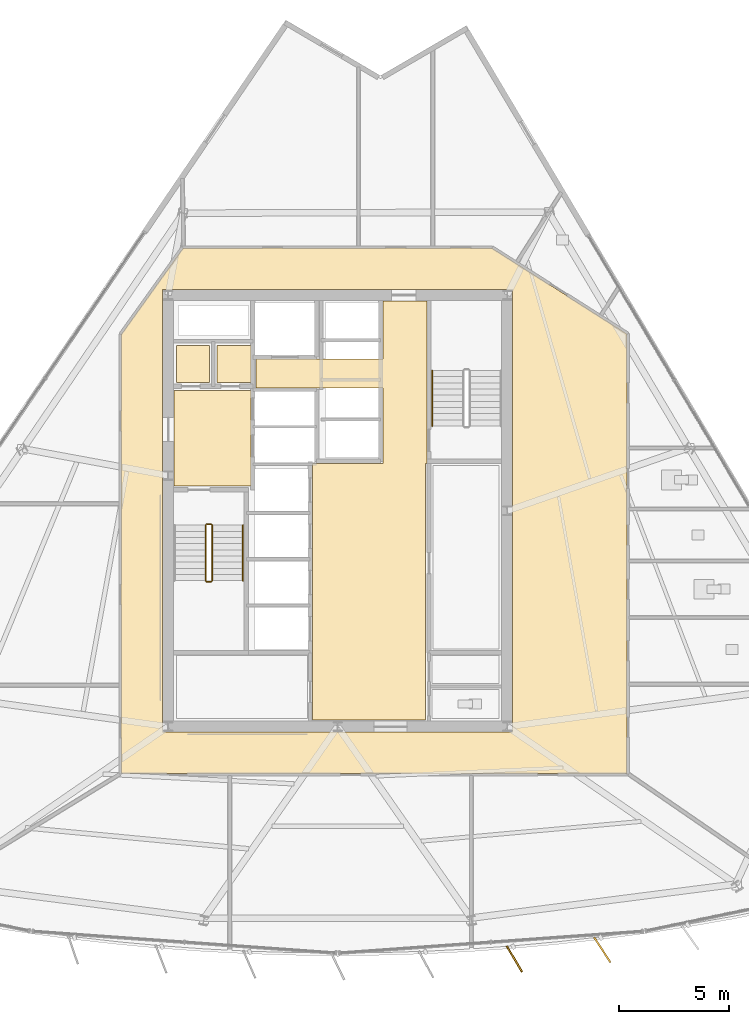
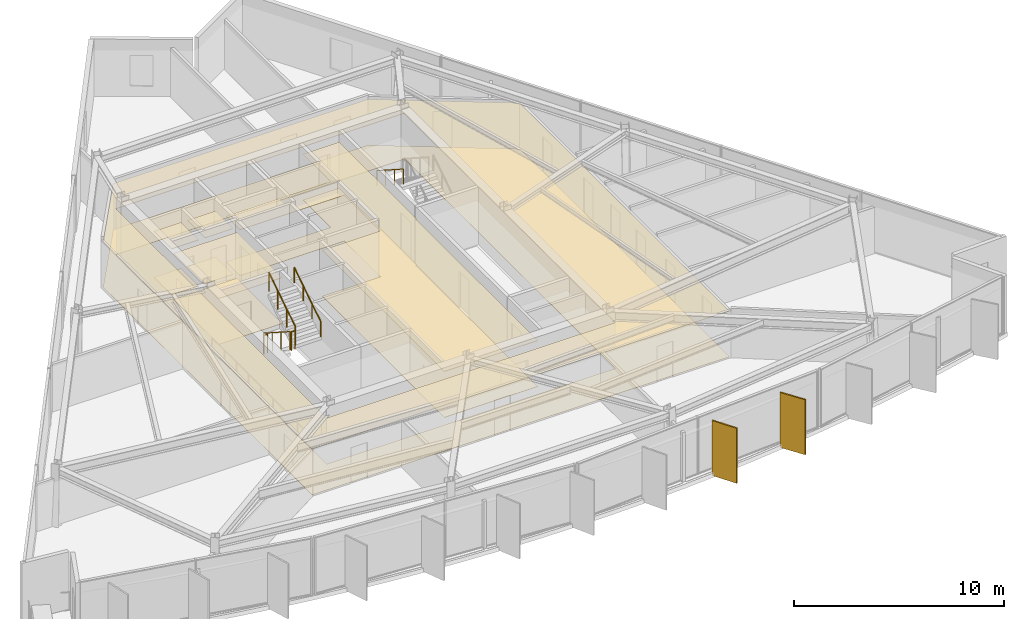
# One storey, part 12 of 15: 10 coverings, 6 railings, 2 shading devices.
"""IFC4 building model written with IfcOpenShell, lengths in metres."""

import ifcopenshell
import ifcopenshell.guid

model = None  # the IFC model being written
_history = None  # IfcOwnerHistory: only IFC2X3 demands one
_inside = {}  # id of a spatial element -> (the spatial element, [elements in it])
_under = {}  # id of a project, library or spatial element -> (it, [spatial elements below it])
_declared = {}  # id of a project -> (the project, [libraries it declares])
_typed = {}  # id of a type object -> (the type object, [elements of that type])
_made_of = {}  # id of a material, layer set ... -> (it, [elements and type objects made of it])


def new_model(schema):
    """Start an empty IFC model of exactly this schema.

    Asked for "IFC4X3", IfcOpenShell would pick the latest addendum, in which some entities
    have other attributes; the version numbers below select the first issue.
    IFC2X3 requires an IfcOwnerHistory on every rooted entity: one is made here for all.
    """
    global model, _history
    if schema == "IFC4X3":
        model = ifcopenshell.file(schema_version=(4, 3, 0, 0))
    else:
        model = ifcopenshell.file(schema=schema)
    _inside.clear()
    _under.clear()
    _declared.clear()
    _typed.clear()
    _made_of.clear()
    _history = None
    if model.schema == "IFC2X3":
        org = make("IfcOrganization", Name="unknown")
        user = make(
            "IfcPersonAndOrganization",
            ThePerson=make("IfcPerson", FamilyName="unknown"),
            TheOrganization=org,
        )
        app = make(
            "IfcApplication",
            ApplicationDeveloper=org,
            Version="unknown",
            ApplicationFullName="unknown",
            ApplicationIdentifier="unknown",
        )
        _history = make(
            "IfcOwnerHistory",
            OwningUser=user,
            OwningApplication=app,
            ChangeAction="ADDED",
            CreationDate=0,
        )
    return model


def make(cls, **values):
    """One entity of the class cls with the attributes given. An attribute that is None is left unset."""
    return model.create_entity(
        cls, **{name: value for name, value in values.items() if value is not None}
    )


def rooted(cls, **values):
    """An entity with a GlobalId (a new one), such as an element, a storey or a relation."""
    return make(cls, GlobalId=ifcopenshell.guid.new(), OwnerHistory=_history, **values)


def si_unit(unit_type, name, prefix=None):
    """IfcSIUnit, for example si_unit("LENGTHUNIT", "METRE", prefix="MILLI")."""
    return make("IfcSIUnit", UnitType=unit_type, Prefix=prefix, Name=name)


def assignment(units):
    """IfcUnitAssignment: the units of a project."""
    return None if units is None else make("IfcUnitAssignment", Units=units)


def point(xyz):
    """IfcCartesianPoint."""
    return None if xyz is None else make("IfcCartesianPoint", Coordinates=xyz)


def direction(xyz):
    """IfcDirection."""
    return None if xyz is None else make("IfcDirection", DirectionRatios=xyz)


def frame(location, z_axis=None, x_axis=None):
    """IfcAxis2Placement3D, a coordinate frame: its origin and axes. An axis left out is left unset."""
    return make(
        "IfcAxis2Placement3D",
        Location=point(location),
        Axis=direction(z_axis),
        RefDirection=direction(x_axis),
    )


def frame_2d(location, x_axis=None):
    """IfcAxis2Placement2D, a coordinate frame in the plane: its origin and x axis."""
    return make(
        "IfcAxis2Placement2D", Location=point(location), RefDirection=direction(x_axis)
    )


def origin():
    """The frame at (0, 0, 0) with its axes left unset."""
    return frame((0.0, 0.0, 0.0))


def origin_2d():
    """The frame at (0, 0) in the plane with its x axis left unset."""
    return frame_2d((0.0, 0.0))


def place(relative_to, where):
    """IfcLocalPlacement: puts the frame where relative to a parent placement (None: the world)."""
    return make(
        "IfcLocalPlacement", PlacementRelTo=relative_to, RelativePlacement=where
    )


def context(
    kind, dimensions, precision=None, world=None, true_north=None, identifier=None
):
    """IfcGeometricRepresentationContext, for example the 3D "Model" context."""
    return make(
        "IfcGeometricRepresentationContext",
        ContextIdentifier=identifier,
        ContextType=kind,
        CoordinateSpaceDimension=dimensions,
        Precision=precision,
        WorldCoordinateSystem=world,
        TrueNorth=true_north,
    )


def subcontext(parent, identifier, kind, view, scale=None):
    """IfcGeometricRepresentationSubContext, for example "Body" below "Model"."""
    return make(
        "IfcGeometricRepresentationSubContext",
        ContextIdentifier=identifier,
        ContextType=kind,
        ParentContext=parent,
        TargetScale=scale,
        TargetView=view,
    )


def project(units=None, contexts=None):
    """IfcProject with its units and contexts."""
    return rooted(
        "IfcProject",
        Name="project",
        RepresentationContexts=contexts,
        UnitsInContext=assignment(units),
    )


def spatial(cls, under=None, at=None, **own):
    """A site, building, storey or space (cls), placed at a placement, below another one or the project."""
    s = rooted(cls, ObjectPlacement=at, **own)
    if under is not None:
        _under.setdefault(under.id(), (under, []))[1].append(s)
    return s


def polyline(points):
    """IfcPolyline through the points."""
    return make("IfcPolyline", Points=[point(p) for p in points])


def profile(cls, at=None, kind="AREA", **sizes):
    """A parametric profile (cls). Its sizes go by their IFC names, for example OverallWidth=200.0."""
    return make(cls, ProfileType=kind, Position=at, **sizes)


def rectangle(**sizes):
    """IfcRectangleProfileDef."""
    return profile("IfcRectangleProfileDef", **sizes)


def circle(**sizes):
    """IfcCircleProfileDef."""
    return profile("IfcCircleProfileDef", **sizes)


def outline(outer, holes=None, kind="AREA"):
    """IfcArbitraryClosedProfileDef: a profile drawn as a closed curve; with holes, ...WithVoids."""
    if holes is None:
        return make("IfcArbitraryClosedProfileDef", ProfileType=kind, OuterCurve=outer)
    return make(
        "IfcArbitraryProfileDefWithVoids",
        ProfileType=kind,
        OuterCurve=outer,
        InnerCurves=holes,
    )


def extrude(swept, where, along, depth):
    """IfcExtrudedAreaSolid: the profile swept, set in the frame where, extruded along a direction by depth."""
    return make(
        "IfcExtrudedAreaSolid",
        SweptArea=swept,
        Position=where,
        ExtrudedDirection=direction(along),
        Depth=depth,
    )


def shape(context_of_items, identifier, shape_type, items):
    """IfcShapeRepresentation: the items that make up one representation, for example the "Body"."""
    return make(
        "IfcShapeRepresentation",
        ContextOfItems=context_of_items,
        RepresentationIdentifier=identifier,
        RepresentationType=shape_type,
        Items=items,
    )


def material(Name=None, Category=None):
    """IfcMaterial."""
    return make("IfcMaterial", Name=Name, Category=Category)


def layer(
    of_material, thickness, ventilated=None, Name=None, Category=None, Priority=None
):
    """IfcMaterialLayer: one layer of a wall or slab, of a material (None: an air gap)."""
    return make(
        "IfcMaterialLayer",
        Material=of_material,
        LayerThickness=thickness,
        IsVentilated=ventilated,
        Name=Name,
        Category=Category,
        Priority=Priority,
    )


def layer_set(layers, Name=None):
    """IfcMaterialLayerSet."""
    return make("IfcMaterialLayerSet", MaterialLayers=layers, LayerSetName=Name)


def made_of(thing, what):
    """Note that an element or type object is made of a material, layer set ...; save() writes the relation."""
    if what is not None:
        _made_of.setdefault(what.id(), (what, []))[1].append(thing)
    return thing


def type_object(cls, material=None, **own):
    """A type object (cls), such as IfcWallType, which elements share."""
    return made_of(rooted(cls, **own), material)


def element(
    cls,
    number,
    at=None,
    inside=None,
    cuts=None,
    type_object=None,
    material=None,
    context=None,
    identifier="Body",
    shape_type=None,
    held_by="IfcProductDefinitionShape",
    body=None,
    shapes=None,
    **own,
):
    """One element of the class cls, such as IfcWall. Its Tag is "e" and its number.

    at: its placement. inside: the storey or other place that contains it. cuts: it is an
    opening in that element (IfcRelVoidsElement). A single representation is given by context,
    identifier, shape_type and body (its items); several are given by shapes. held_by: the class
    of the entity that holds the representations. save() writes the other relations.
    """
    e = rooted(cls, Tag="e%d" % number, ObjectPlacement=at, **own)
    if body is not None:
        shapes = [shape(context, identifier, shape_type, body)]
    if shapes is not None:
        e.Representation = make(held_by, Representations=shapes)
    if inside is not None:
        _inside.setdefault(inside.id(), (inside, []))[1].append(e)
    if cuts is not None:
        rooted(
            "IfcRelVoidsElement", RelatingBuildingElement=cuts, RelatedOpeningElement=e
        )
    if type_object is not None:
        _typed.setdefault(type_object.id(), (type_object, []))[1].append(e)
    return made_of(e, material)


def aggregate(whole, parts):
    """IfcRelAggregates: a whole, such as a stair, and the parts it consists of."""
    return rooted("IfcRelAggregates", RelatingObject=whole, RelatedObjects=parts)


def save(model, path):
    """Write the relations noted so far, then the file.

    IfcRelAggregates (storeys below a building ...), IfcRelContainedInSpatialStructure (elements
    in a storey), IfcRelDefinesByType, IfcRelAssociatesMaterial and IfcRelDeclares: one each for
    every whole, place, type object, material and project.
    """
    for whole, parts in _under.values():
        aggregate(whole, parts)
    for where, things in _inside.values():
        rooted(
            "IfcRelContainedInSpatialStructure",
            RelatedElements=things,
            RelatingStructure=where,
        )
    for kind, things in _typed.values():
        rooted("IfcRelDefinesByType", RelatedObjects=things, RelatingType=kind)
    for what, things in _made_of.values():
        rooted("IfcRelAssociatesMaterial", RelatedObjects=things, RelatingMaterial=what)
    for by, libraries in _declared.values():
        rooted("IfcRelDeclares", RelatingContext=by, RelatedDefinitions=libraries)
    model.write(path)


model = new_model("IFC4")

# Units and contexts
model_context = context("Model", 3, precision=1e-05, world=origin(), true_north=direction((0.0, 1.0)))
body_context = subcontext(model_context, "Body", "Model", "MODEL_VIEW")
ifc_project = project(units=[si_unit("LENGTHUNIT", "METRE"), si_unit("AREAUNIT", "SQUARE_METRE"), si_unit("VOLUMEUNIT", "CUBIC_METRE"), si_unit("PLANEANGLEUNIT", "RADIAN"), si_unit("MASSUNIT", "GRAM", prefix="KILO")], contexts=[model_context])

# Site, building, storey
site_placement = place(None, origin())
site = spatial("IfcSite", under=ifc_project, at=site_placement, CompositionType="ELEMENT")
building_placement = place(site_placement, origin())
building = spatial("IfcBuilding", under=site, at=building_placement, Name="Savorim Split Tower", CompositionType="ELEMENT")
storey_placement = place(building_placement, frame((0.0, 0.0, 138.60009765625)))
storey = spatial("IfcBuildingStorey", under=building, at=storey_placement, Name="L36", CompositionType="ELEMENT", Elevation=138.60009765625)

# Coverings
ifc_material_1 = material(Name="Mineral Fibre Acoustic Ceiling")
ifc_layer_1 = layer(ifc_material_1, 0.02490234375)
ifc_layer_set_1 = layer_set([ifc_layer_1], Name="COV-CEIL-25")
covering_type_1 = type_object("IfcCoveringType", Name="COV-CEIL-25", PredefinedType="CEILING", material=ifc_layer_set_1)
covering_1_placement = place(storey_placement, frame((0.0, 0.0, 2.669921875)))
element("IfcCovering", 1, at=covering_1_placement, inside=storey, type_object=covering_type_1, Name="L36 Firefighting Lift Lobby Acoustic Ceiling", PredefinedType="CEILING", context=body_context, shape_type="SweptSolid", body=[
    extrude(outline(polyline([(-7.429931640625, 5.8701171875), (-7.429931640625, 1.530029296875), (-3.929931640625, 1.530029296875), (-3.929931640625, 5.8701171875), (-7.429931640625, 5.8701171875)])), origin(), (0.0, 0.0, 1.0), 0.02490234375),
])
covering_2_placement = place(storey_placement, frame((0.0, 0.0, 2.669921875)))
element("IfcCovering", 2, at=covering_2_placement, inside=storey, type_object=covering_type_1, Name="L36 Electrical Riser Acoustic Ceiling", PredefinedType="CEILING", context=body_context, shape_type="SweptSolid", body=[
    extrude(outline(polyline([(-7.320068359375, 7.919921875), (-7.320068359375, 6.22998046875), (-5.830078125, 6.22998046875), (-5.830078125, 7.919921875), (-7.320068359375, 7.919921875)])), origin(), (0.0, 0.0, 1.0), 0.02490234375),
])
covering_3_placement = place(storey_placement, frame((0.0, 0.0, 2.669921875)))
element("IfcCovering", 3, at=covering_3_placement, inside=storey, type_object=covering_type_1, Name="L36 Telecom Riser Acoustic Ceiling", PredefinedType="CEILING", context=body_context, shape_type="SweptSolid", body=[
    extrude(outline(polyline([(-5.469970703125, 7.919921875), (-5.469970703125, 6.22998046875), (-3.929931640625, 6.22998046875), (-3.929931640625, 7.919921875), (-5.469970703125, 7.919921875)])), origin(), (0.0, 0.0, 1.0), 0.02490234375),
])
covering_4_placement = place(storey_placement, frame((0.0, 0.0, 2.669921875)))
element("IfcCovering", 4, at=covering_4_placement, inside=storey, type_object=covering_type_1, Name="L36 Lift Lobby Acoustic Ceiling", PredefinedType="CEILING", context=body_context, shape_type="SweptSolid", body=[
    extrude(outline(polyline([(2.050048828125, 2.550048828125), (-1.14990234375, 2.550048828125), (-1.14990234375, -9.10009765625), (4.0, -9.10009765625), (4.0, 2.550048828125), (4.050048828125, 2.550048828125), (4.050048828125, 5.97998046875), (4.050048828125, 7.300048828125), (4.050048828125, 9.929931640625), (2.050048828125, 9.929931640625), (2.050048828125, 7.300048828125), (-3.699951171875, 7.300048828125), (-3.699951171875, 5.97998046875), (2.050048828125, 5.97998046875), (2.050048828125, 2.550048828125)])), origin(), (0.0, 0.0, 1.0), 0.02490234375),
])
covering_5_placement = place(storey_placement, frame((0.0, 0.0, 2.669921875)))
element("IfcCovering", 5, at=covering_5_placement, inside=storey, type_object=covering_type_1, Name="L36 Corridor Acoustic Ceiling", PredefinedType="CEILING", context=body_context, shape_type="SweptSolid", body=[
    extrude(outline(polyline([(7.009521484375, 12.3291015625), (7.004638671875, 12.329833984375), (7.0, 12.330078125), (-7.0, 12.330078125), (-7.004638671875, 12.329833984375), (-7.009521484375, 12.3291015625), (-7.013916015625, 12.327880859375), (-7.0185546875, 12.326416015625), (-7.022705078125, 12.324462890625), (-7.027099609375, 12.322021484375), (-7.03076171875, 12.3193359375), (-7.034423828125, 12.31640625), (-7.03759765625, 12.312744140625), (-7.04052734375, 12.30908203125), (-9.820556640625, 8.42919921875), (-9.823486328125, 8.4248046875), (-9.82568359375, 8.420166015625), (-9.82763671875, 8.415283203125), (-9.828857421875, 8.410400390625), (-9.82958984375, 8.4052734375), (-9.830078125, 8.39990234375), (-9.830078125, -11.47998046875), (-9.829833984375, -11.48486328125), (-9.8291015625, -11.48974609375), (-9.827880859375, -11.494384765625), (-9.826171875, -11.4990234375), (-9.82421875, -11.503662109375), (-9.821533203125, -11.5078125), (-9.818603515625, -11.51171875), (-9.8154296875, -11.515380859375), (-9.811767578125, -11.518798828125), (-9.807861328125, -11.521484375), (-9.8037109375, -11.524169921875), (-9.799072265625, -11.526123046875), (-9.79443359375, -11.52783203125), (-9.789794921875, -11.529052734375), (-9.784912109375, -11.52978515625), (-9.780029296875, -11.530029296875), (13.10009765625, -11.530029296875), (13.10498046875, -11.52978515625), (13.10986328125, -11.529052734375), (13.114501953125, -11.52783203125), (13.119140625, -11.526123046875), (13.12353515625, -11.524169921875), (13.127685546875, -11.521484375), (13.131591796875, -11.518798828125), (13.135498046875, -11.515380859375), (13.138671875, -11.51171875), (13.1416015625, -11.5078125), (13.14404296875, -11.503662109375), (13.146240234375, -11.4990234375), (13.147705078125, -11.494384765625), (13.14892578125, -11.48974609375), (13.14990234375, -11.48486328125), (13.14990234375, -11.47998046875), (13.14990234375, 8.39990234375), (13.149658203125, 8.405029296875), (13.14892578125, 8.409912109375), (13.147705078125, 8.414794921875), (13.14599609375, 8.41943359375), (13.143798828125, 8.424072265625), (13.14111328125, 8.42822265625), (13.13818359375, 8.432373046875), (13.134765625, 8.43603515625), (13.130859375, 8.439208984375), (13.126708984375, 8.442138671875), (7.02685546875, 12.322265625), (7.022705078125, 12.324462890625), (7.018310546875, 12.326416015625), (7.013916015625, 12.327880859375), (7.009521484375, 12.3291015625)]), holes=[polyline([(-7.949951171875, 10.449951171875), (-7.949951171875, -9.64990234375), (7.949951171875, -9.64990234375), (7.949951171875, 10.449951171875), (-7.949951171875, 10.449951171875)])]), origin(), (0.0, 0.0, 1.0), 0.02490234375),
])
ifc_material_2 = material(Name="Porcelain Stoneware Flooring", Category="masonry")
ifc_layer_2 = layer(ifc_material_2, 0.02001953125)
ifc_layer_set_2 = layer_set([ifc_layer_2], Name="COV-FLOR-20")
covering_type_2 = type_object("IfcCoveringType", Name="COV-FLOR-20", PredefinedType="FLOORING", material=ifc_layer_set_2)
covering_6_placement = place(storey_placement, origin())
element("IfcCovering", 6, at=covering_6_placement, inside=storey, type_object=covering_type_2, Name="L36 Firefighting Lift Lobby Porcelain Flooring", PredefinedType="FLOORING", context=body_context, shape_type="SweptSolid", body=[
    extrude(outline(polyline([(-7.429931640625, 5.8701171875), (-7.429931640625, 1.530029296875), (-3.929931640625, 1.530029296875), (-3.929931640625, 5.8701171875), (-7.429931640625, 5.8701171875)])), origin(), (0.0, 0.0, 1.0), 0.02001953125),
])
covering_7_placement = place(storey_placement, origin())
element("IfcCovering", 7, at=covering_7_placement, inside=storey, type_object=covering_type_2, Name="L36 Electrical Riser Porcelain Flooring", PredefinedType="FLOORING", context=body_context, shape_type="SweptSolid", body=[
    extrude(outline(polyline([(-7.320068359375, 7.919921875), (-7.320068359375, 6.22998046875), (-5.830078125, 6.22998046875), (-5.830078125, 7.919921875), (-7.320068359375, 7.919921875)])), origin(), (0.0, 0.0, 1.0), 0.02001953125),
])
covering_8_placement = place(storey_placement, origin())
element("IfcCovering", 8, at=covering_8_placement, inside=storey, type_object=covering_type_2, Name="L36 Telecom Riser Porcelain Flooring", PredefinedType="FLOORING", context=body_context, shape_type="SweptSolid", body=[
    extrude(outline(polyline([(-5.469970703125, 7.919921875), (-5.469970703125, 6.22998046875), (-3.929931640625, 6.22998046875), (-3.929931640625, 7.919921875), (-5.469970703125, 7.919921875)])), origin(), (0.0, 0.0, 1.0), 0.02001953125),
])
covering_9_placement = place(storey_placement, origin())
element("IfcCovering", 9, at=covering_9_placement, inside=storey, type_object=covering_type_2, Name="L36 Lift Lobby Porcelain Flooring", PredefinedType="FLOORING", context=body_context, shape_type="SweptSolid", body=[
    extrude(outline(polyline([(2.050048828125, 2.550048828125), (-1.14990234375, 2.550048828125), (-1.14990234375, -9.10009765625), (4.0, -9.10009765625), (4.0, 2.550048828125), (4.050048828125, 2.550048828125), (4.050048828125, 5.97998046875), (4.050048828125, 7.300048828125), (4.050048828125, 9.929931640625), (2.050048828125, 9.929931640625), (2.050048828125, 7.300048828125), (-3.699951171875, 7.300048828125), (-3.699951171875, 5.97998046875), (2.050048828125, 5.97998046875), (2.050048828125, 2.550048828125)])), origin(), (0.0, 0.0, 1.0), 0.02001953125),
])
covering_10_placement = place(storey_placement, origin())
element("IfcCovering", 10, at=covering_10_placement, inside=storey, type_object=covering_type_2, Name="L36 Corridor Porcelain Flooring", PredefinedType="FLOORING", context=body_context, shape_type="SweptSolid", body=[
    extrude(outline(polyline([(7.009521484375, 12.3291015625), (7.004638671875, 12.329833984375), (7.0, 12.330078125), (-7.0, 12.330078125), (-7.004638671875, 12.329833984375), (-7.009521484375, 12.3291015625), (-7.013916015625, 12.327880859375), (-7.0185546875, 12.326416015625), (-7.022705078125, 12.324462890625), (-7.027099609375, 12.322021484375), (-7.03076171875, 12.3193359375), (-7.034423828125, 12.31640625), (-7.03759765625, 12.312744140625), (-7.04052734375, 12.30908203125), (-9.820556640625, 8.42919921875), (-9.823486328125, 8.4248046875), (-9.82568359375, 8.420166015625), (-9.82763671875, 8.415283203125), (-9.828857421875, 8.410400390625), (-9.82958984375, 8.4052734375), (-9.830078125, 8.39990234375), (-9.830078125, -11.47998046875), (-9.829833984375, -11.48486328125), (-9.8291015625, -11.48974609375), (-9.827880859375, -11.494384765625), (-9.826171875, -11.4990234375), (-9.82421875, -11.503662109375), (-9.821533203125, -11.5078125), (-9.818603515625, -11.51171875), (-9.8154296875, -11.515380859375), (-9.811767578125, -11.518798828125), (-9.807861328125, -11.521484375), (-9.8037109375, -11.524169921875), (-9.799072265625, -11.526123046875), (-9.79443359375, -11.52783203125), (-9.789794921875, -11.529052734375), (-9.784912109375, -11.52978515625), (-9.780029296875, -11.530029296875), (13.10009765625, -11.530029296875), (13.10498046875, -11.52978515625), (13.10986328125, -11.529052734375), (13.114501953125, -11.52783203125), (13.119140625, -11.526123046875), (13.12353515625, -11.524169921875), (13.127685546875, -11.521484375), (13.131591796875, -11.518798828125), (13.135498046875, -11.515380859375), (13.138671875, -11.51171875), (13.1416015625, -11.5078125), (13.14404296875, -11.503662109375), (13.146240234375, -11.4990234375), (13.147705078125, -11.494384765625), (13.14892578125, -11.48974609375), (13.14990234375, -11.48486328125), (13.14990234375, -11.47998046875), (13.14990234375, 8.39990234375), (13.149658203125, 8.405029296875), (13.14892578125, 8.409912109375), (13.147705078125, 8.414794921875), (13.14599609375, 8.41943359375), (13.143798828125, 8.424072265625), (13.14111328125, 8.42822265625), (13.13818359375, 8.432373046875), (13.134765625, 8.43603515625), (13.130859375, 8.439208984375), (13.126708984375, 8.442138671875), (7.02685546875, 12.322265625), (7.022705078125, 12.324462890625), (7.018310546875, 12.326416015625), (7.013916015625, 12.327880859375), (7.009521484375, 12.3291015625)]), holes=[polyline([(-7.949951171875, 10.449951171875), (-7.949951171875, -9.64990234375), (7.949951171875, -9.64990234375), (7.949951171875, 10.449951171875), (-7.949951171875, 10.449951171875)])]), origin(), (0.0, 0.0, 1.0), 0.02001953125),
])

# Railings
ifc_material_3 = material(Name="Galvanised Painted Steel Balustrade", Category="steel")
railing_type_1 = type_object("IfcRailingType", Name="RLG-HR-900", PredefinedType="HANDRAIL", material=ifc_material_3)
railing_1_placement = place(storey_placement, frame((-4.300048828125, -2.77001953125, 1.97998046875)))
element("IfcRailing", 11, at=railing_1_placement, inside=storey, type_object=railing_type_1, Name="L36 ST-1 stair handrail 2", PredefinedType="HANDRAIL", context=body_context, shape_type="SweptSolid", body=[
    extrude(circle(Radius=0.02392578125, at=origin_2d()), frame((0.0, 0.0, 0.8759765625), z_axis=(0.0, 0.841199657755, 0.540724639528), x_axis=(-1.0, 0.0, 0.0)), (0.0, 0.0, 1.0), 2.995849609375),
    extrude(circle(Radius=0.02099609375, at=origin_2d()), origin(), (0.0, 0.0, 1.0), 0.851806640625),
    extrude(circle(Radius=0.02099609375, at=origin_2d()), frame((0.0, 0.840087890625, 0.5400390625)), (0.0, 0.0, 1.0), 0.851806640625),
    extrude(circle(Radius=0.02099609375, at=origin_2d()), frame((0.0, 1.679931640625, 1.079833984375)), (0.0, 0.0, 1.0), 0.851806640625),
    extrude(circle(Radius=0.02099609375, at=origin_2d()), frame((0.0, 2.52001953125, 1.619873046875)), (0.0, 0.0, 1.0), 0.851806640625),
])
railing_2_placement = place(storey_placement, frame((4.300048828125, 6.77001953125, 1.97998046875)))
element("IfcRailing", 12, at=railing_2_placement, inside=storey, type_object=railing_type_1, Name="L36 ST-2 stair handrail 2", PredefinedType="HANDRAIL", context=body_context, shape_type="SweptSolid", body=[
    extrude(circle(Radius=0.02392578125, at=origin_2d()), frame((0.0, 0.0, 0.8759765625), z_axis=(0.0, -0.841199657755, 0.540724639528), x_axis=(1.0, 0.0, 0.0)), (0.0, 0.0, 1.0), 2.995849609375),
    extrude(circle(Radius=0.02099609375, at=origin_2d()), origin(), (0.0, 0.0, 1.0), 0.851806640625),
    extrude(circle(Radius=0.02099609375, at=origin_2d()), frame((0.0, -0.840087890625, 0.5400390625)), (0.0, 0.0, 1.0), 0.851806640625),
    extrude(circle(Radius=0.02099609375, at=origin_2d()), frame((0.0, -1.679931640625, 1.079833984375)), (0.0, 0.0, 1.0), 0.851806640625),
    extrude(circle(Radius=0.02099609375, at=origin_2d()), frame((0.0, -2.52001953125, 1.619873046875)), (0.0, 0.0, 1.0), 0.851806640625),
])
railing_type_2 = type_object("IfcRailingType", Name="RLG-STG-1100", PredefinedType="BALUSTRADE", material=ifc_material_3)
railing_3_placement = place(storey_placement, frame((-6.0, -0.25, 0.179931640625)))
element("IfcRailing", 13, at=railing_3_placement, inside=storey, type_object=railing_type_2, Name="L36 ST-1 stair guard 1", PredefinedType="BALUSTRADE", context=body_context, shape_type="SweptSolid", body=[
    extrude(circle(Radius=0.02392578125, at=origin_2d()), frame((0.0, 0.0, 1.076171875), z_axis=(0.0, -0.841199657755, 0.540724639528), x_axis=(1.0, 0.0, 0.0)), (0.0, 0.0, 1.0), 2.995849609375),
    extrude(circle(Radius=0.02099609375, at=origin_2d()), origin(), (0.0, 0.0, 1.0), 1.052001953125),
    extrude(circle(Radius=0.02099609375, at=origin_2d()), frame((0.0, -0.840087890625, 0.5400390625)), (0.0, 0.0, 1.0), 1.052001953125),
    extrude(circle(Radius=0.02099609375, at=origin_2d()), frame((0.0, -1.679931640625, 1.079833984375)), (0.0, 0.0, 1.0), 1.052001953125),
    extrude(circle(Radius=0.02099609375, at=origin_2d()), frame((0.0, -2.52001953125, 1.619873046875)), (0.0, 0.0, 1.0), 1.052001953125),
])
railing_4_placement = place(storey_placement, frame((-5.949951171875, -2.820068359375, 1.7998046875)))
element("IfcRailing", 14, at=railing_4_placement, inside=storey, type_object=railing_type_2, Name="L36 ST-1 stair guard 2", PredefinedType="BALUSTRADE", context=body_context, shape_type="SweptSolid", body=[
    extrude(circle(Radius=0.02392578125, at=origin_2d()), frame((0.0, 0.0, 1.076171875), z_axis=(1.0, 0.0, 0.0), x_axis=(0.0, 1.0, 0.0)), (0.0, 0.0, 1.0), 0.199951171875),
    extrude(circle(Radius=0.02099609375, at=origin_2d()), origin(), (0.0, 0.0, 1.0), 1.052001953125),
    extrude(circle(Radius=0.02099609375, at=origin_2d()), frame((0.199951171875, 0.0, 0.0)), (0.0, 0.0, 1.0), 1.052001953125),
])
railing_5_placement = place(storey_placement, frame((-5.699951171875, -2.77001953125, 1.97998046875)))
element("IfcRailing", 15, at=railing_5_placement, inside=storey, type_object=railing_type_2, Name="L36 ST-1 stair guard 3", PredefinedType="BALUSTRADE", context=body_context, shape_type="SweptSolid", body=[
    extrude(circle(Radius=0.02392578125, at=origin_2d()), frame((0.0, 0.0, 1.076171875), z_axis=(0.0, 0.841199657755, 0.540724639528), x_axis=(-1.0, 0.0, 0.0)), (0.0, 0.0, 1.0), 2.995849609375),
    extrude(circle(Radius=0.02099609375, at=origin_2d()), origin(), (0.0, 0.0, 1.0), 1.052001953125),
    extrude(circle(Radius=0.02099609375, at=origin_2d()), frame((0.0, 0.840087890625, 0.5400390625)), (0.0, 0.0, 1.0), 1.052001953125),
    extrude(circle(Radius=0.02099609375, at=origin_2d()), frame((0.0, 1.679931640625, 1.079833984375)), (0.0, 0.0, 1.0), 1.052001953125),
    extrude(circle(Radius=0.02099609375, at=origin_2d()), frame((0.0, 2.52001953125, 1.619873046875)), (0.0, 0.0, 1.0), 1.052001953125),
])
railing_6_placement = place(storey_placement, frame((-5.949951171875, -0.199951171875, 0.0)))
element("IfcRailing", 16, at=railing_6_placement, inside=storey, type_object=railing_type_2, Name="L36 ST-1 stair guard 4", PredefinedType="BALUSTRADE", context=body_context, shape_type="SweptSolid", body=[
    extrude(circle(Radius=0.02392578125, at=origin_2d()), frame((0.0, 0.0, 1.076171875), z_axis=(1.0, 0.0, 0.0), x_axis=(0.0, 1.0, 0.0)), (0.0, 0.0, 1.0), 0.199951171875),
    extrude(circle(Radius=0.02099609375, at=origin_2d()), origin(), (0.0, 0.0, 1.0), 1.052001953125),
    extrude(circle(Radius=0.02099609375, at=origin_2d()), frame((0.199951171875, 0.0, 0.0)), (0.0, 0.0, 1.0), 1.052001953125),
])

# Shading devices
ifc_material_4 = material(Name="Terracotta Ceramic-Coated Aluminium Fin", Category="masonry")
shading_device_type = type_object("IfcShadingDeviceType", Name="SHD-FIN-1360", PredefinedType="USERDEFINED", material=ifc_material_4)
for number, where, z_axis, x_axis, name in (
    (17, (8.0234375, -19.948974609375, -0.2001953125), (0.0, 0.0, 1.0), (0.510391336723, -0.859942255851, 0.0), "L36 Sawtooth Shading Fin 09"),
    (18, (12.0185546875, -19.538818359375, -0.2001953125), (0.0, 0.0, 1.0), (0.545148321708, -0.838339613366, 0.0), "L36 Sawtooth Shading Fin 10"),
):
    element("IfcShadingDevice", number, at=place(storey_placement, frame(where, z_axis=z_axis, x_axis=x_axis)), inside=storey, type_object=shading_device_type, Name=name, ObjectType="FIN", PredefinedType="USERDEFINED", context=body_context, shape_type="SweptSolid", body=[
        extrude(rectangle(XDim=1.360107421875, YDim=0.080078125, at=origin_2d()), origin(), (0.0, 0.0, 1.0), 3.199951171875),
    ])

save(model, "model.ifc")
